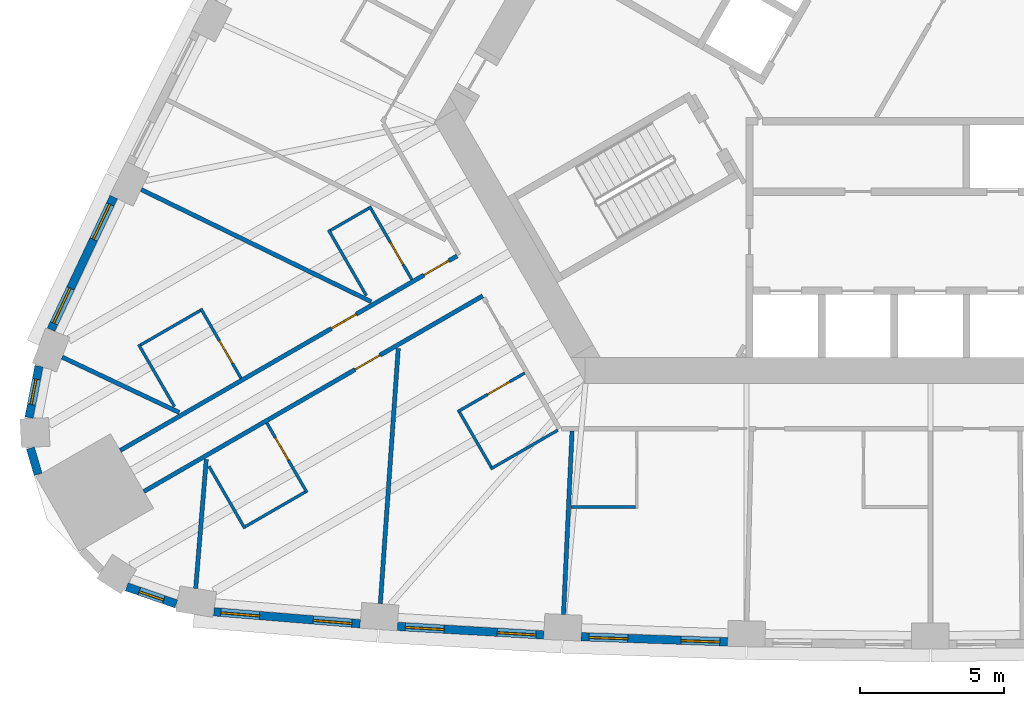
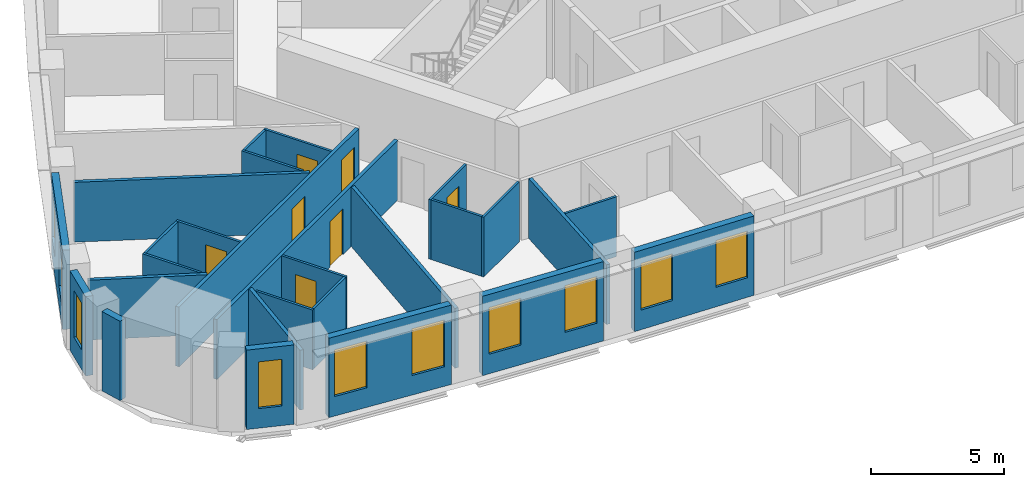
# One storey, part 3 of 13: 27 walls, 10 windows, 7 doors, 17 openings.
"""IFC4 building model written with IfcOpenShell, lengths in metres."""

from ifc_helpers import new_model, si_unit, direction, frame, frame_2d, origin, place, context, subcontext, project, spatial, rectangle, extrude, material, layer, layer_set, type_object, element, fill, save


model = new_model("IFC4")

# Units and contexts
model_context = context("Model", 3, precision=1e-05, world=origin(), true_north=direction((0.0, 1.0)))
body_context = subcontext(model_context, "Body", "Model", "MODEL_VIEW")
ifc_project = project(units=[si_unit("LENGTHUNIT", "METRE"), si_unit("AREAUNIT", "SQUARE_METRE"), si_unit("VOLUMEUNIT", "CUBIC_METRE"), si_unit("PLANEANGLEUNIT", "RADIAN"), si_unit("MASSUNIT", "GRAM", prefix="KILO")], contexts=[model_context])

# Site, building, storey
site_placement = place(None, origin())
site = spatial("IfcSite", under=ifc_project, at=site_placement, CompositionType="ELEMENT")
building_placement = place(site_placement, origin())
building = spatial("IfcBuilding", under=site, at=building_placement, Name="Mestral Congress Tower", CompositionType="ELEMENT")
storey_placement = place(building_placement, frame((0.0, 0.0, 87.60009765625)))
storey = spatial("IfcBuildingStorey", under=building, at=storey_placement, Name="L20", CompositionType="ELEMENT", Elevation=87.60009765625)

# Wall, openings, windows
ifc_material_1 = material(Name="Precast concrete C40/50 with limestone facing", Category="masonry")
ifc_layer_1 = layer(ifc_material_1, 0.2900390625)
ifc_layer_set_1 = layer_set([ifc_layer_1], Name="Precast concrete C40/50 with limestone facing")
wall_type_1 = type_object("IfcWallType", Name="Facade stone wall 290", PredefinedType="SOLIDWALL", material=ifc_layer_set_1)
wall_1_placement = place(storey_placement, frame((-24.9462890625, -20.95361328125, 0.0), z_axis=(0.0, 0.0, 1.0), x_axis=(0.99665273362, -0.081751627308, 0.0)))
wall_1 = element("IfcWall", 1, at=wall_1_placement, inside=storey, type_object=wall_type_1, Name="Facade wall F0-00", PredefinedType="SOLIDWALL", context=body_context, shape_type="SweptSolid", body=[
    extrude(rectangle(XDim=5.106689453125, YDim=0.2900390625, at=frame_2d((2.55322265625, 0.0))), origin(), (0.0, 0.0, 1.0), 3.64990234375),
])
opening_1_placement = place(wall_1_placement, frame((0.240478515625, 0.0, 0.89990234375)))
opening_1 = element("IfcOpeningElement", 2, at=opening_1_placement, cuts=wall_1, Name="Opening W2", PredefinedType="OPENING", context=body_context, shape_type="SweptSolid", body=[
    extrude(rectangle(XDim=1.35009765625, YDim=2.14990234375, at=frame_2d((0.675048828125, 1.074951171875))), frame((0.0, 0.155029296875, 0.0), z_axis=(0.0, -1.0, 0.0), x_axis=(1.0, 0.0, 0.0)), (0.0, 0.0, 1.0), 0.31005859375),
])
opening_2_placement = place(wall_1_placement, frame((3.47119140625, 0.0, 0.89990234375)))
opening_2 = element("IfcOpeningElement", 3, at=opening_2_placement, cuts=wall_1, Name="Opening W2", PredefinedType="OPENING", context=body_context, shape_type="SweptSolid", body=[
    extrude(rectangle(XDim=1.35009765625, YDim=2.14990234375, at=frame_2d((0.675048828125, 1.074951171875))), frame((0.0, 0.155029296875, 0.0), z_axis=(0.0, -1.0, 0.0), x_axis=(1.0, 0.0, 0.0)), (0.0, 0.0, 1.0), 0.31005859375),
])
ifc_material_2 = material(Name="Clear low-emissivity double glazing", Category="glass")
window_type_1 = type_object("IfcWindowType", Name="Facade punched window 1350 x 2150 sill 900", PartitioningType="DOUBLE_PANEL_VERTICAL", PredefinedType="WINDOW", material=ifc_material_2)
window_1_placement = place(opening_1_placement, origin())
window_1 = element("IfcWindow", 4, at=window_1_placement, inside=storey, type_object=window_type_1, Name="Window F0-00a", OverallHeight=2.14990234375, OverallWidth=1.35009765625, PartitioningType="DOUBLE_PANEL_VERTICAL", PredefinedType="WINDOW", context=body_context, shape_type="SweptSolid", body=[
    extrude(rectangle(XDim=1.35009765625, YDim=2.14990234375, at=frame_2d((0.675048828125, 1.074951171875))), frame((0.0, 0.01513671875, 0.0), z_axis=(0.0, -1.0, 0.0), x_axis=(1.0, 0.0, 0.0)), (0.0, 0.0, 1.0), 0.06005859375),
])
fill(opening_1, window_1)
window_2_placement = place(opening_2_placement, origin())
window_2 = element("IfcWindow", 5, at=window_2_placement, inside=storey, type_object=window_type_1, Name="Window F0-00b", OverallHeight=2.14990234375, OverallWidth=1.35009765625, PartitioningType="DOUBLE_PANEL_VERTICAL", PredefinedType="WINDOW", context=body_context, shape_type="SweptSolid", body=[
    extrude(rectangle(XDim=1.35009765625, YDim=2.14990234375, at=frame_2d((0.675048828125, 1.074951171875))), frame((0.0, 0.01513671875, 0.0), z_axis=(0.0, -1.0, 0.0), x_axis=(1.0, 0.0, 0.0)), (0.0, 0.0, 1.0), 0.06005859375),
])
fill(opening_2, window_2)

wall_2_placement = place(storey_placement, frame((-18.553466796875, -21.462890625, 0.0), z_axis=(0.0, 0.0, 1.0), x_axis=(0.998290511436, -0.058447025388, 0.0)))
wall_2 = element("IfcWall", 6, at=wall_2_placement, inside=storey, type_object=wall_type_1, Name="Facade wall F0-01", PredefinedType="SOLIDWALL", context=body_context, shape_type="SweptSolid", body=[
    extrude(rectangle(XDim=5.100341796875, YDim=0.2900390625, at=frame_2d((2.55029296875, 0.0))), origin(), (0.0, 0.0, 1.0), 3.64990234375),
])
opening_3_placement = place(wall_2_placement, frame((0.272705078125, 0.0, 0.89990234375)))
opening_3 = element("IfcOpeningElement", 7, at=opening_3_placement, cuts=wall_2, Name="Opening W2", PredefinedType="OPENING", context=body_context, shape_type="SweptSolid", body=[
    extrude(rectangle(XDim=1.35009765625, YDim=2.14990234375, at=frame_2d((0.675048828125, 1.074951171875))), frame((0.0, 0.155029296875, 0.0), z_axis=(0.0, -1.0, 0.0), x_axis=(1.0, 0.0, 0.0)), (0.0, 0.0, 1.0), 0.31005859375),
])
opening_4_placement = place(wall_2_placement, frame((3.477783203125, 0.0, 0.89990234375)))
opening_4 = element("IfcOpeningElement", 8, at=opening_4_placement, cuts=wall_2, Name="Opening W2", PredefinedType="OPENING", context=body_context, shape_type="SweptSolid", body=[
    extrude(rectangle(XDim=1.35009765625, YDim=2.14990234375, at=frame_2d((0.675048828125, 1.074951171875))), frame((0.0, 0.155029296875, 0.0), z_axis=(0.0, -1.0, 0.0), x_axis=(1.0, 0.0, 0.0)), (0.0, 0.0, 1.0), 0.31005859375),
])
window_3_placement = place(opening_3_placement, origin())
window_3 = element("IfcWindow", 9, at=window_3_placement, inside=storey, type_object=window_type_1, Name="Window F0-01a", OverallHeight=2.14990234375, OverallWidth=1.35009765625, PartitioningType="DOUBLE_PANEL_VERTICAL", PredefinedType="WINDOW", context=body_context, shape_type="SweptSolid", body=[
    extrude(rectangle(XDim=1.35009765625, YDim=2.14990234375, at=frame_2d((0.675048828125, 1.074951171875))), frame((0.0, 0.01513671875, 0.0), z_axis=(0.0, -1.0, 0.0), x_axis=(1.0, 0.0, 0.0)), (0.0, 0.0, 1.0), 0.06005859375),
])
fill(opening_3, window_3)
window_4_placement = place(opening_4_placement, origin())
window_4 = element("IfcWindow", 10, at=window_4_placement, inside=storey, type_object=window_type_1, Name="Window F0-01b", OverallHeight=2.14990234375, OverallWidth=1.35009765625, PartitioningType="DOUBLE_PANEL_VERTICAL", PredefinedType="WINDOW", context=body_context, shape_type="SweptSolid", body=[
    extrude(rectangle(XDim=1.35009765625, YDim=2.14990234375, at=frame_2d((0.675048828125, 1.074951171875))), frame((0.0, 0.01513671875, 0.0), z_axis=(0.0, -1.0, 0.0), x_axis=(1.0, 0.0, 0.0)), (0.0, 0.0, 1.0), 0.06005859375),
])
fill(opening_4, window_4)

wall_3_placement = place(storey_placement, frame((-12.15673828125, -21.822021484375, 0.0), z_axis=(0.0, 0.0, 1.0), x_axis=(0.999385993957, -0.035037623812, 0.0)))
wall_3 = element("IfcWall", 11, at=wall_3_placement, inside=storey, type_object=wall_type_1, Name="Facade wall F0-02", PredefinedType="SOLIDWALL", context=body_context, shape_type="SweptSolid", body=[
    extrude(rectangle(XDim=5.1005859375, YDim=0.2900390625, at=frame_2d((2.55029296875, 0.0))), origin(), (0.0, 0.0, 1.0), 3.64990234375),
])
opening_5_placement = place(wall_3_placement, frame((0.272705078125, 0.0, 0.89990234375)))
opening_5 = element("IfcOpeningElement", 12, at=opening_5_placement, cuts=wall_3, Name="Opening W2", PredefinedType="OPENING", context=body_context, shape_type="SweptSolid", body=[
    extrude(rectangle(XDim=1.35009765625, YDim=2.14990234375, at=frame_2d((0.675048828125, 1.074951171875))), frame((0.0, 0.155029296875, 0.0), z_axis=(0.0, -1.0, 0.0), x_axis=(1.0, 0.0, 0.0)), (0.0, 0.0, 1.0), 0.31005859375),
])
opening_6_placement = place(wall_3_placement, frame((3.477783203125, 0.0, 0.89990234375)))
opening_6 = element("IfcOpeningElement", 13, at=opening_6_placement, cuts=wall_3, Name="Opening W2", PredefinedType="OPENING", context=body_context, shape_type="SweptSolid", body=[
    extrude(rectangle(XDim=1.35009765625, YDim=2.14990234375, at=frame_2d((0.675048828125, 1.074951171875))), frame((0.0, 0.155029296875, 0.0), z_axis=(0.0, -1.0, 0.0), x_axis=(1.0, 0.0, 0.0)), (0.0, 0.0, 1.0), 0.31005859375),
])
window_5_placement = place(opening_5_placement, origin())
window_5 = element("IfcWindow", 14, at=window_5_placement, inside=storey, type_object=window_type_1, Name="Window F0-02a", OverallHeight=2.14990234375, OverallWidth=1.35009765625, PartitioningType="DOUBLE_PANEL_VERTICAL", PredefinedType="WINDOW", context=body_context, shape_type="SweptSolid", body=[
    extrude(rectangle(XDim=1.35009765625, YDim=2.14990234375, at=frame_2d((0.675048828125, 1.074951171875))), frame((0.0, 0.01513671875, 0.0), z_axis=(0.0, -1.0, 0.0), x_axis=(1.0, 0.0, 0.0)), (0.0, 0.0, 1.0), 0.06005859375),
])
fill(opening_5, window_5)
window_6_placement = place(opening_6_placement, origin())
window_6 = element("IfcWindow", 15, at=window_6_placement, inside=storey, type_object=window_type_1, Name="Window F0-02b", OverallHeight=2.14990234375, OverallWidth=1.35009765625, PartitioningType="DOUBLE_PANEL_VERTICAL", PredefinedType="WINDOW", context=body_context, shape_type="SweptSolid", body=[
    extrude(rectangle(XDim=1.35009765625, YDim=2.14990234375, at=frame_2d((0.675048828125, 1.074951171875))), frame((0.0, 0.01513671875, 0.0), z_axis=(0.0, -1.0, 0.0), x_axis=(1.0, 0.0, 0.0)), (0.0, 0.0, 1.0), 0.06005859375),
])
fill(opening_6, window_6)

wall_4_placement = place(storey_placement, frame((-28.436279296875, -6.5107421875, 0.0), z_axis=(0.0, 0.0, 1.0), x_axis=(-0.427543726596, -0.903994669148, 0.0)))
wall_4 = element("IfcWall", 16, at=wall_4_placement, inside=storey, type_object=wall_type_1, Name="Facade wall F2-07", PredefinedType="SOLIDWALL", context=body_context, shape_type="SweptSolid", body=[
    extrude(rectangle(XDim=5.106689453125, YDim=0.2900390625, at=frame_2d((2.55322265625, 0.0))), origin(), (0.0, 0.0, 1.0), 3.64990234375),
])
opening_7_placement = place(wall_4_placement, frame((0.285400390625, 0.0, 0.89990234375)))
opening_7 = element("IfcOpeningElement", 17, at=opening_7_placement, cuts=wall_4, Name="Opening W2", PredefinedType="OPENING", context=body_context, shape_type="SweptSolid", body=[
    extrude(rectangle(XDim=1.35009765625, YDim=2.14990234375, at=frame_2d((0.675048828125, 1.074951171875))), frame((0.0, 0.155029296875, 0.0), z_axis=(0.0, -1.0, 0.0), x_axis=(1.0, 0.0, 0.0)), (0.0, 0.0, 1.0), 0.31005859375),
])
opening_8_placement = place(wall_4_placement, frame((3.516357421875, 0.0, 0.89990234375)))
opening_8 = element("IfcOpeningElement", 18, at=opening_8_placement, cuts=wall_4, Name="Opening W2", PredefinedType="OPENING", context=body_context, shape_type="SweptSolid", body=[
    extrude(rectangle(XDim=1.35009765625, YDim=2.14990234375, at=frame_2d((0.675048828125, 1.074951171875))), frame((0.0, 0.155029296875, 0.0), z_axis=(0.0, -1.0, 0.0), x_axis=(1.0, 0.0, 0.0)), (0.0, 0.0, 1.0), 0.31005859375),
])
window_7_placement = place(opening_7_placement, origin())
window_7 = element("IfcWindow", 19, at=window_7_placement, inside=storey, type_object=window_type_1, Name="Window F2-07a", OverallHeight=2.14990234375, OverallWidth=1.35009765625, PartitioningType="DOUBLE_PANEL_VERTICAL", PredefinedType="WINDOW", context=body_context, shape_type="SweptSolid", body=[
    extrude(rectangle(XDim=1.35009765625, YDim=2.14990234375, at=frame_2d((0.675048828125, 1.074951171875))), frame((0.0, 0.01513671875, 0.0), z_axis=(0.0, -1.0, 0.0), x_axis=(1.0, 0.0, 0.0)), (0.0, 0.0, 1.0), 0.06005859375),
])
fill(opening_7, window_7)
window_8_placement = place(opening_8_placement, origin())
window_8 = element("IfcWindow", 20, at=window_8_placement, inside=storey, type_object=window_type_1, Name="Window F2-07b", OverallHeight=2.14990234375, OverallWidth=1.35009765625, PartitioningType="DOUBLE_PANEL_VERTICAL", PredefinedType="WINDOW", context=body_context, shape_type="SweptSolid", body=[
    extrude(rectangle(XDim=1.35009765625, YDim=2.14990234375, at=frame_2d((0.675048828125, 1.074951171875))), frame((0.0, 0.01513671875, 0.0), z_axis=(0.0, -1.0, 0.0), x_axis=(1.0, 0.0, 0.0)), (0.0, 0.0, 1.0), 0.06005859375),
])
fill(opening_8, window_8)

# Wall, opening, window
wall_5_placement = place(storey_placement, frame((-31.0390625, -12.403076171875, 0.0), z_axis=(0.0, 0.0, 1.0), x_axis=(-0.190409913989, -0.981704672829, 0.0)))
wall_5 = element("IfcWall", 21, at=wall_5_placement, inside=storey, type_object=wall_type_1, Name="Facade wall K2-0", PredefinedType="SOLIDWALL", context=body_context, shape_type="SweptSolid", body=[
    extrude(rectangle(XDim=1.8193359375, YDim=0.2900390625, at=frame_2d((0.90966796875, 0.0))), origin(), (0.0, 0.0, 1.0), 3.64990234375),
])
opening_9_placement = place(wall_5_placement, frame((0.459716796875, 0.0, 0.89990234375)))
opening_9 = element("IfcOpeningElement", 22, at=opening_9_placement, cuts=wall_5, Name="Opening W3", PredefinedType="OPENING", context=body_context, shape_type="SweptSolid", body=[
    extrude(rectangle(XDim=0.89990234375, YDim=2.14990234375, at=frame_2d((0.449951171875, 1.074951171875))), frame((0.0, 0.155029296875, 0.0), z_axis=(0.0, -1.0, 0.0), x_axis=(1.0, 0.0, 0.0)), (0.0, 0.0, 1.0), 0.31005859375),
])
window_type_2 = type_object("IfcWindowType", Name="Facade punched window 900 x 2150 sill 900", PartitioningType="SINGLE_PANEL", PredefinedType="WINDOW", material=ifc_material_2)
window_9_placement = place(opening_9_placement, origin())
window_9 = element("IfcWindow", 23, at=window_9_placement, inside=storey, type_object=window_type_2, Name="Window K2-0", OverallHeight=2.14990234375, OverallWidth=0.89990234375, PartitioningType="SINGLE_PANEL", PredefinedType="WINDOW", context=body_context, shape_type="SweptSolid", body=[
    extrude(rectangle(XDim=0.89990234375, YDim=2.14990234375, at=frame_2d((0.449951171875, 1.074951171875))), frame((0.0, 0.01513671875, 0.0), z_axis=(0.0, -1.0, 0.0), x_axis=(1.0, 0.0, 0.0)), (0.0, 0.0, 1.0), 0.06005859375),
])
fill(opening_9, window_9)

# Wall
wall_6_placement = place(storey_placement, frame((-31.335693359375, -15.25634765625, 0.0), z_axis=(0.0, 0.0, 1.0), x_axis=(0.281454582132, -0.95957455062, 0.0)))
element("IfcWall", 24, at=wall_6_placement, inside=storey, type_object=wall_type_1, Name="Facade wall K2-1", PredefinedType="SOLIDWALL", context=body_context, shape_type="SweptSolid", body=[
    extrude(rectangle(XDim=0.947265625, YDim=0.2900390625, at=frame_2d((0.4736328125, 0.0))), origin(), (0.0, 0.0, 1.0), 3.64990234375),
])

# Wall, opening, window
wall_7_placement = place(storey_placement, frame((-27.98095703125, -20.086181640625, 0.0), z_axis=(0.0, 0.0, 1.0), x_axis=(0.945385815453, -0.325953462844, 0.0)))
wall_7 = element("IfcWall", 25, at=wall_7_placement, inside=storey, type_object=wall_type_1, Name="Facade wall K2-3", PredefinedType="SOLIDWALL", context=body_context, shape_type="SweptSolid", body=[
    extrude(rectangle(XDim=1.8193359375, YDim=0.2900390625, at=frame_2d((0.90966796875, 0.0))), origin(), (0.0, 0.0, 1.0), 3.64990234375),
])
opening_10_placement = place(wall_7_placement, frame((0.459716796875, 0.0, 0.89990234375)))
opening_10 = element("IfcOpeningElement", 26, at=opening_10_placement, cuts=wall_7, Name="Opening W3", PredefinedType="OPENING", context=body_context, shape_type="SweptSolid", body=[
    extrude(rectangle(XDim=0.89990234375, YDim=2.14990234375, at=frame_2d((0.449951171875, 1.074951171875))), frame((0.0, 0.155029296875, 0.0), z_axis=(0.0, -1.0, 0.0), x_axis=(1.0, 0.0, 0.0)), (0.0, 0.0, 1.0), 0.31005859375),
])
window_10_placement = place(opening_10_placement, origin())
window_10 = element("IfcWindow", 27, at=window_10_placement, inside=storey, type_object=window_type_2, Name="Window K2-3", OverallHeight=2.14990234375, OverallWidth=0.89990234375, PartitioningType="SINGLE_PANEL", PredefinedType="WINDOW", context=body_context, shape_type="SweptSolid", body=[
    extrude(rectangle(XDim=0.89990234375, YDim=2.14990234375, at=frame_2d((0.449951171875, 1.074951171875))), frame((0.0, 0.01513671875, 0.0), z_axis=(0.0, -1.0, 0.0), x_axis=(1.0, 0.0, 0.0)), (0.0, 0.0, 1.0), 0.06005859375),
])
fill(opening_10, window_10)

# Wall, opening, door
ifc_material_3 = material(Name="Gypsum board partition on metal studs with mineral wool", Category="composite")
ifc_layer_2 = layer(ifc_material_3, 0.10009765625)
ifc_layer_set_2 = layer_set([ifc_layer_2], Name="Gypsum board partition on metal studs with mineral wool")
wall_type_2 = type_object("IfcWallType", Name="Hotel partition wall 100", PredefinedType="PARTITIONING", material=ifc_layer_set_2)
wall_8_placement = place(storey_placement, frame((-21.703857421875, -16.802978515625, 0.0), z_axis=(0.0, 0.0, 1.0), x_axis=(-0.500049511043, 0.865996816683, 0.0)))
wall_8 = element("IfcWall", 28, at=wall_8_placement, inside=storey, type_object=wall_type_2, Name="L20-h-pod01a", PredefinedType="PARTITIONING", context=body_context, shape_type="SweptSolid", body=[
    extrude(rectangle(XDim=2.800048828125, YDim=0.10009765625, at=frame_2d((1.39990234375, 0.0))), origin(), (0.0, 0.0, 1.0), 2.75),
])
opening_11_placement = place(wall_8_placement, frame((1.300048828125, 0.0, 0.0)))
opening_11 = element("IfcOpeningElement", 29, at=opening_11_placement, cuts=wall_8, Name="Opening H06-002", PredefinedType="OPENING", context=body_context, shape_type="SweptSolid", body=[
    extrude(rectangle(XDim=0.89990234375, YDim=2.10009765625, at=frame_2d((0.449951171875, 1.050048828125))), frame((0.0, 0.06005859375, 0.0), z_axis=(0.0, -1.0, 0.0), x_axis=(1.0, 0.0, 0.0)), (0.0, 0.0, 1.0), 0.1201171875),
])
ifc_material_4 = material(Name="Timber veneer door leaf in timber frame", Category="wood")
door_type_1 = type_object("IfcDoorType", Name="Bathroom door 900", OperationType="SINGLE_SWING_LEFT", PredefinedType="DOOR", material=ifc_material_4)
door_1_placement = place(opening_11_placement, origin())
door_1 = element("IfcDoor", 30, at=door_1_placement, inside=storey, type_object=door_type_1, Name="L20-h-d002", OperationType="SINGLE_SWING_LEFT", OverallHeight=2.10009765625, OverallWidth=0.89990234375, PredefinedType="DOOR", context=body_context, shape_type="SweptSolid", body=[
    extrude(rectangle(XDim=0.89990234375, YDim=2.10009765625, at=frame_2d((0.449951171875, 1.050048828125))), frame((0.0, 0.02490234375, 0.0), z_axis=(0.0, -1.0, 0.0), x_axis=(1.0, 0.0, 0.0)), (0.0, 0.0, 1.0), 0.050048828125),
])
fill(opening_11, door_1)

# Walls
wall_9_placement = place(storey_placement, frame((-21.772216796875, -16.784912109375, 0.0), z_axis=(0.0, 0.0, 1.0), x_axis=(-0.866024647952, -0.500001309137, 0.0)))
element("IfcWall", 31, at=wall_9_placement, inside=storey, type_object=wall_type_2, Name="L20-h-pod01b", PredefinedType="PARTITIONING", context=body_context, shape_type="SweptSolid", body=[
    extrude(rectangle(XDim=2.39990234375, YDim=0.10009765625, at=frame_2d((1.199951171875, 0.0))), origin(), (0.0, 0.0, 1.0), 2.75),
])
wall_10_placement = place(storey_placement, frame((-25.118896484375, -15.88818359375, 0.0), z_axis=(0.0, 0.0, 1.0), x_axis=(0.500046524342, -0.865998541277, 0.0)))
element("IfcWall", 32, at=wall_10_placement, inside=storey, type_object=wall_type_2, Name="L20-h-pod01c", PredefinedType="PARTITIONING", context=body_context, shape_type="SweptSolid", body=[
    extrude(rectangle(XDim=2.499755859375, YDim=0.10009765625, at=frame_2d((1.25, 0.0))), origin(), (0.0, 0.0, 1.0), 2.75),
])

# Wall, opening, door
wall_11_placement = place(storey_placement, frame((-14.123291015625, -12.637939453125, 0.0), z_axis=(0.0, 0.0, 1.0), x_axis=(-0.86599734893, -0.500048589285, 0.0)))
wall_11 = element("IfcWall", 33, at=wall_11_placement, inside=storey, type_object=wall_type_2, Name="L20-h-pod02a", PredefinedType="PARTITIONING", context=body_context, shape_type="SweptSolid", body=[
    extrude(rectangle(XDim=2.699951171875, YDim=0.10009765625, at=frame_2d((1.35009765625, 0.0))), origin(), (0.0, 0.0, 1.0), 2.75),
])
opening_12_placement = place(wall_11_placement, frame((0.60009765625, 0.0, 0.0)))
opening_12 = element("IfcOpeningElement", 34, at=opening_12_placement, cuts=wall_11, Name="Opening H06-004", PredefinedType="OPENING", context=body_context, shape_type="SweptSolid", body=[
    extrude(rectangle(XDim=0.89990234375, YDim=2.10009765625, at=frame_2d((0.449951171875, 1.050048828125))), frame((0.0, 0.06005859375, 0.0), z_axis=(0.0, -1.0, 0.0), x_axis=(1.0, 0.0, 0.0)), (0.0, 0.0, 1.0), 0.1201171875),
])
door_2_placement = place(opening_12_placement, origin())
door_2 = element("IfcDoor", 35, at=door_2_placement, inside=storey, type_object=door_type_1, Name="L20-h-d004", OperationType="SINGLE_SWING_LEFT", OverallHeight=2.10009765625, OverallWidth=0.89990234375, PredefinedType="DOOR", context=body_context, shape_type="SweptSolid", body=[
    extrude(rectangle(XDim=0.89990234375, YDim=2.10009765625, at=frame_2d((0.449951171875, 1.050048828125))), frame((0.0, 0.02490234375, 0.0), z_axis=(0.0, -1.0, 0.0), x_axis=(1.0, 0.0, 0.0)), (0.0, 0.0, 1.0), 0.050048828125),
])
fill(opening_12, door_2)

# Walls
wall_12_placement = place(storey_placement, frame((-16.39306640625, -14.00634765625, 0.0), z_axis=(0.0, 0.0, 1.0), x_axis=(0.499946605688, -0.86605622881, 0.0)))
element("IfcWall", 36, at=wall_12_placement, inside=storey, type_object=wall_type_2, Name="L20-h-pod02b", PredefinedType="PARTITIONING", context=body_context, shape_type="SweptSolid", body=[
    extrude(rectangle(XDim=2.199951171875, YDim=0.10009765625, at=frame_2d((1.10009765625, 0.0))), origin(), (0.0, 0.0, 1.0), 2.75),
])
wall_13_placement = place(storey_placement, frame((-12.97314453125, -14.6298828125, 0.0), z_axis=(0.0, 0.0, 1.0), x_axis=(-0.866036505625, -0.499980770555, 0.0)))
element("IfcWall", 37, at=wall_13_placement, inside=storey, type_object=wall_type_2, Name="L20-h-pod02c", PredefinedType="PARTITIONING", context=body_context, shape_type="SweptSolid", body=[
    extrude(rectangle(XDim=2.69970703125, YDim=0.10009765625, at=frame_2d((1.349853515625, 0.0))), origin(), (0.0, 0.0, 1.0), 2.75),
])
wall_14_placement = place(storey_placement, frame((-10.272216796875, -17.300048828125, 0.0), z_axis=(0.0, 0.0, 1.0), x_axis=(-1.0, 0.0, 0.0)))
element("IfcWall", 38, at=wall_14_placement, inside=storey, type_object=wall_type_2, Name="L20-h-pod03b", PredefinedType="PARTITIONING", context=body_context, shape_type="SweptSolid", body=[
    extrude(rectangle(XDim=2.25, YDim=0.10009765625, at=frame_2d((1.125, 0.0))), origin(), (0.0, 0.0, 1.0), 2.75),
])

# Wall, opening, door
wall_15_placement = place(storey_placement, frame((-18.05517578125, -9.385009765625, 0.0), z_axis=(0.0, 0.0, 1.0), x_axis=(-0.499939757307, 0.866060182126, 0.0)))
wall_15 = element("IfcWall", 39, at=wall_15_placement, inside=storey, type_object=wall_type_2, Name="L20-h-pod26a", PredefinedType="PARTITIONING", context=body_context, shape_type="SweptSolid", body=[
    extrude(rectangle(XDim=2.949951171875, YDim=0.10009765625, at=frame_2d((1.47509765625, 0.0))), origin(), (0.0, 0.0, 1.0), 2.75),
])
opening_13_placement = place(wall_15_placement, frame((0.60009765625, 0.0, 0.0)))
opening_13 = element("IfcOpeningElement", 40, at=opening_13_placement, cuts=wall_15, Name="Opening H06-049", PredefinedType="OPENING", context=body_context, shape_type="SweptSolid", body=[
    extrude(rectangle(XDim=0.89990234375, YDim=2.10009765625, at=frame_2d((0.449951171875, 1.050048828125))), frame((0.0, 0.06005859375, 0.0), z_axis=(0.0, -1.0, 0.0), x_axis=(1.0, 0.0, 0.0)), (0.0, 0.0, 1.0), 0.1201171875),
])
door_3_placement = place(opening_13_placement, origin())
door_3 = element("IfcDoor", 41, at=door_3_placement, inside=storey, type_object=door_type_1, Name="L20-h-d049", OperationType="SINGLE_SWING_LEFT", OverallHeight=2.10009765625, OverallWidth=0.89990234375, PredefinedType="DOOR", context=body_context, shape_type="SweptSolid", body=[
    extrude(rectangle(XDim=0.89990234375, YDim=2.10009765625, at=frame_2d((0.449951171875, 1.050048828125))), frame((0.0, 0.02490234375, 0.0), z_axis=(0.0, -1.0, 0.0), x_axis=(1.0, 0.0, 0.0)), (0.0, 0.0, 1.0), 0.050048828125),
])
fill(opening_13, door_3)

# Walls
wall_16_placement = place(storey_placement, frame((-19.548583984375, -6.8984375, 0.0), z_axis=(0.0, 0.0, 1.0), x_axis=(-0.866043940782, -0.499967891604, 0.0)))
element("IfcWall", 42, at=wall_16_placement, inside=storey, type_object=wall_type_2, Name="L20-h-pod26b", PredefinedType="PARTITIONING", context=body_context, shape_type="SweptSolid", body=[
    extrude(rectangle(XDim=1.5498046875, YDim=0.10009765625, at=frame_2d((0.77490234375, 0.0))), origin(), (0.0, 0.0, 1.0), 2.75),
])
wall_17_placement = place(storey_placement, frame((-19.63916015625, -9.94140625, 0.0), z_axis=(0.0, 0.0, 1.0), x_axis=(-0.499938597367, 0.866060851709, 0.0)))
element("IfcWall", 43, at=wall_17_placement, inside=storey, type_object=wall_type_2, Name="L20-h-pod26c", PredefinedType="PARTITIONING", context=body_context, shape_type="SweptSolid", body=[
    extrude(rectangle(XDim=2.639892578125, YDim=0.10009765625, at=frame_2d((1.31982421875, 0.0))), origin(), (0.0, 0.0, 1.0), 2.75),
])

# Wall, opening, door
wall_18_placement = place(storey_placement, frame((-24.00390625, -12.819580078125, 0.0), z_axis=(0.0, 0.0, 1.0), x_axis=(-0.500011755427, 0.866018616679, 0.0)))
wall_18 = element("IfcWall", 44, at=wall_18_placement, inside=storey, type_object=wall_type_2, Name="L20-h-pod27a", PredefinedType="PARTITIONING", context=body_context, shape_type="SweptSolid", body=[
    extrude(rectangle(XDim=2.80029296875, YDim=0.10009765625, at=frame_2d((1.400146484375, 0.0))), origin(), (0.0, 0.0, 1.0), 2.75),
])
opening_14_placement = place(wall_18_placement, frame((0.60009765625, 0.0, 0.0)))
opening_14 = element("IfcOpeningElement", 45, at=opening_14_placement, cuts=wall_18, Name="Opening H06-051", PredefinedType="OPENING", context=body_context, shape_type="SweptSolid", body=[
    extrude(rectangle(XDim=0.89990234375, YDim=2.10009765625, at=frame_2d((0.449951171875, 1.050048828125))), frame((0.0, 0.06005859375, 0.0), z_axis=(0.0, -1.0, 0.0), x_axis=(1.0, 0.0, 0.0)), (0.0, 0.0, 1.0), 0.1201171875),
])
door_4_placement = place(opening_14_placement, origin())
door_4 = element("IfcDoor", 46, at=door_4_placement, inside=storey, type_object=door_type_1, Name="L20-h-d051", OperationType="SINGLE_SWING_RIGHT", OverallHeight=2.10009765625, OverallWidth=0.89990234375, PredefinedType="DOOR", context=body_context, shape_type="SweptSolid", body=[
    extrude(rectangle(XDim=0.89990234375, YDim=2.10009765625, at=frame_2d((0.449951171875, 1.050048828125))), frame((0.0, 0.02490234375, 0.0), z_axis=(0.0, -1.0, 0.0), x_axis=(1.0, 0.0, 0.0)), (0.0, 0.0, 1.0), 0.050048828125),
])
fill(opening_14, door_4)

# Walls
wall_19_placement = place(storey_placement, frame((-25.42236328125, -10.462890625, 0.0), z_axis=(0.0, 0.0, 1.0), x_axis=(-0.866024647952, -0.500001309137, 0.0)))
element("IfcWall", 47, at=wall_19_placement, inside=storey, type_object=wall_type_2, Name="L20-h-pod27b", PredefinedType="PARTITIONING", context=body_context, shape_type="SweptSolid", body=[
    extrude(rectangle(XDim=2.39990234375, YDim=0.10009765625, at=frame_2d((1.199951171875, 0.0))), origin(), (0.0, 0.0, 1.0), 2.75),
])
wall_20_placement = place(storey_placement, frame((-26.319091796875, -13.809814453125, 0.0), z_axis=(0.0, 0.0, 1.0), x_axis=(-0.499961950354, 0.866047370643, 0.0)))
element("IfcWall", 48, at=wall_20_placement, inside=storey, type_object=wall_type_2, Name="L20-h-pod27c", PredefinedType="PARTITIONING", context=body_context, shape_type="SweptSolid", body=[
    extrude(rectangle(XDim=2.500244140625, YDim=0.10009765625, at=frame_2d((1.25, 0.0))), origin(), (0.0, 0.0, 1.0), 2.75),
])

# Wall, openings, doors
ifc_layer_3 = layer(ifc_material_3, 0.14990234375)
ifc_layer_set_3 = layer_set([ifc_layer_3], Name="Gypsum board partition on metal studs with mineral wool")
wall_type_3 = type_object("IfcWallType", Name="Hotel partition wall 150", PredefinedType="PARTITIONING", material=ifc_layer_set_3)
wall_21_placement = place(storey_placement, frame((-28.210693359375, -15.334716796875, 0.0), z_axis=(0.0, 0.0, 1.0), x_axis=(0.866025884867, 0.49999916674, 0.0)))
wall_21 = element("IfcWall", 49, at=wall_21_placement, inside=storey, type_object=wall_type_3, Name="L20-h-cw10", PredefinedType="PARTITIONING", context=body_context, shape_type="SweptSolid", body=[
    extrude(rectangle(XDim=13.54345703125, YDim=0.14990234375, at=frame_2d((6.771728515625, 0.0))), origin(), (0.0, 0.0, 1.0), 2.75),
])
opening_15_placement = place(wall_21_placement, frame((12.213623046875, 0.0, 0.0)))
opening_15 = element("IfcOpeningElement", 50, at=opening_15_placement, cuts=wall_21, Name="Opening H06-048", PredefinedType="OPENING", context=body_context, shape_type="SweptSolid", body=[
    extrude(rectangle(XDim=1.0, YDim=2.10009765625, at=frame_2d((0.5, 1.050048828125))), frame((0.0, 0.0849609375, 0.0), z_axis=(0.0, -1.0, 0.0), x_axis=(1.0, 0.0, 0.0)), (0.0, 0.0, 1.0), 0.169921875),
])
opening_16_placement = place(wall_21_placement, frame((8.48828125, 0.0, 0.0)))
opening_16 = element("IfcOpeningElement", 51, at=opening_16_placement, cuts=wall_21, Name="Opening H06-050", PredefinedType="OPENING", context=body_context, shape_type="SweptSolid", body=[
    extrude(rectangle(XDim=1.0, YDim=2.10009765625, at=frame_2d((0.5, 1.050048828125))), frame((0.0, 0.0849609375, 0.0), z_axis=(0.0, -1.0, 0.0), x_axis=(1.0, 0.0, 0.0)), (0.0, 0.0, 1.0), 0.169921875),
])
ifc_material_5 = material(Name="Timber veneer door leaf in metal frame", Category="wood")
door_type_2 = type_object("IfcDoorType", Name="Guest room entrance door 1000", OperationType="SINGLE_SWING_LEFT", PredefinedType="DOOR", material=ifc_material_5)
door_5_placement = place(opening_15_placement, origin())
door_5 = element("IfcDoor", 52, at=door_5_placement, inside=storey, type_object=door_type_2, Name="L20-h-d048", OperationType="SINGLE_SWING_RIGHT", OverallHeight=2.10009765625, OverallWidth=1.0, PredefinedType="DOOR", context=body_context, shape_type="SweptSolid", body=[
    extrude(rectangle(XDim=1.0, YDim=2.10009765625, at=frame_2d((0.5, 1.050048828125))), frame((0.0, 0.02490234375, 0.0), z_axis=(0.0, -1.0, 0.0), x_axis=(1.0, 0.0, 0.0)), (0.0, 0.0, 1.0), 0.050048828125),
])
fill(opening_15, door_5)
door_6_placement = place(opening_16_placement, origin())
door_6 = element("IfcDoor", 53, at=door_6_placement, inside=storey, type_object=door_type_2, Name="L20-h-d050", OperationType="SINGLE_SWING_RIGHT", OverallHeight=2.10009765625, OverallWidth=1.0, PredefinedType="DOOR", context=body_context, shape_type="SweptSolid", body=[
    extrude(rectangle(XDim=1.0, YDim=2.10009765625, at=frame_2d((0.5, 1.050048828125))), frame((0.0, 0.02490234375, 0.0), z_axis=(0.0, -1.0, 0.0), x_axis=(1.0, 0.0, 0.0)), (0.0, 0.0, 1.0), 0.050048828125),
])
fill(opening_16, door_6)

# Wall, opening, door
wall_22_placement = place(storey_placement, frame((-15.58740234375, -9.951904296875, 0.0), z_axis=(0.0, 0.0, 1.0), x_axis=(-0.866017869832, -0.500013048961, 0.0)))
wall_22 = element("IfcWall", 54, at=wall_22_placement, inside=storey, type_object=wall_type_3, Name="L20-h-cw11", PredefinedType="PARTITIONING", context=body_context, shape_type="SweptSolid", body=[
    extrude(rectangle(XDim=13.623779296875, YDim=0.14990234375, at=frame_2d((6.81201171875, 0.0))), origin(), (0.0, 0.0, 1.0), 2.75),
])
opening_17_placement = place(wall_22_placement, frame((4.1337890625, 0.0, 0.0)))
opening_17 = element("IfcOpeningElement", 55, at=opening_17_placement, cuts=wall_22, Name="Opening H06-001", PredefinedType="OPENING", context=body_context, shape_type="SweptSolid", body=[
    extrude(rectangle(XDim=1.0, YDim=2.10009765625, at=frame_2d((0.5, 1.050048828125))), frame((0.0, 0.0849609375, 0.0), z_axis=(0.0, -1.0, 0.0), x_axis=(1.0, 0.0, 0.0)), (0.0, 0.0, 1.0), 0.169921875),
])
door_7_placement = place(opening_17_placement, origin())
door_7 = element("IfcDoor", 56, at=door_7_placement, inside=storey, type_object=door_type_2, Name="L20-h-d001", OperationType="SINGLE_SWING_LEFT", OverallHeight=2.10009765625, OverallWidth=1.0, PredefinedType="DOOR", context=body_context, shape_type="SweptSolid", body=[
    extrude(rectangle(XDim=1.0, YDim=2.10009765625, at=frame_2d((0.5, 1.050048828125))), frame((0.0, 0.02490234375, 0.0), z_axis=(0.0, -1.0, 0.0), x_axis=(1.0, 0.0, 0.0)), (0.0, 0.0, 1.0), 0.050048828125),
])
fill(opening_17, door_7)

# Walls
wall_23_placement = place(storey_placement, frame((-30.23095703125, -12.08544921875, 0.0), z_axis=(0.0, 0.0, 1.0), x_axis=(0.904001132572, -0.427530060122, 0.0)))
element("IfcWall", 57, at=wall_23_placement, inside=storey, type_object=wall_type_3, Name="L20-h-pw01", PredefinedType="PARTITIONING", context=body_context, shape_type="SweptSolid", body=[
    extrude(rectangle(XDim=4.509521484375, YDim=0.14990234375, at=frame_2d((2.2548828125, 0.0))), origin(), (0.0, 0.0, 1.0), 2.75),
])
wall_24_placement = place(storey_placement, frame((-25.581787109375, -20.13818359375, 0.0), z_axis=(0.0, 0.0, 1.0), x_axis=(0.081746132986, 0.996653184283, 0.0)))
element("IfcWall", 58, at=wall_24_placement, inside=storey, type_object=wall_type_3, Name="L20-h-pw02", PredefinedType="PARTITIONING", context=body_context, shape_type="SweptSolid", body=[
    extrude(rectangle(XDim=4.509765625, YDim=0.14990234375, at=frame_2d((2.2548828125, 0.0))), origin(), (0.0, 0.0, 1.0), 2.75),
])
wall_25_placement = place(storey_placement, frame((-27.478515625, -6.2509765625, 0.0), z_axis=(0.0, 0.0, 1.0), x_axis=(0.898945877276, -0.438059710231, 0.0)))
element("IfcWall", 59, at=wall_25_placement, inside=storey, type_object=wall_type_3, Name="L20-h-pw03", PredefinedType="PARTITIONING", context=body_context, shape_type="SweptSolid", body=[
    extrude(rectangle(XDim=8.909423828125, YDim=0.14990234375, at=frame_2d((4.45458984375, 0.0))), origin(), (0.0, 0.0, 1.0), 2.75),
])
wall_26_placement = place(storey_placement, frame((-19.152587890625, -20.67138671875, 0.0), z_axis=(0.0, 0.0, 1.0), x_axis=(0.070070736723, 0.997542025107, 0.0)))
element("IfcWall", 60, at=wall_26_placement, inside=storey, type_object=wall_type_3, Name="L20-h-pw04", PredefinedType="PARTITIONING", context=body_context, shape_type="SweptSolid", body=[
    extrude(rectangle(XDim=8.9091796875, YDim=0.14990234375, at=frame_2d((4.45458984375, 0.0))), origin(), (0.0, 0.0, 1.0), 2.75),
])
wall_27_placement = place(storey_placement, frame((-12.7744140625, -21.044921875, 0.0), z_axis=(0.0, 0.0, 1.0), x_axis=(0.046750341626, 0.998906605023, 0.0)))
element("IfcWall", 61, at=wall_27_placement, inside=storey, type_object=wall_type_3, Name="L20-h-pw09", PredefinedType="PARTITIONING", context=body_context, shape_type="SweptSolid", body=[
    extrude(rectangle(XDim=6.39208984375, YDim=0.14990234375, at=frame_2d((3.196044921875, 0.0))), origin(), (0.0, 0.0, 1.0), 2.75),
])

save(model, "model.ifc")
